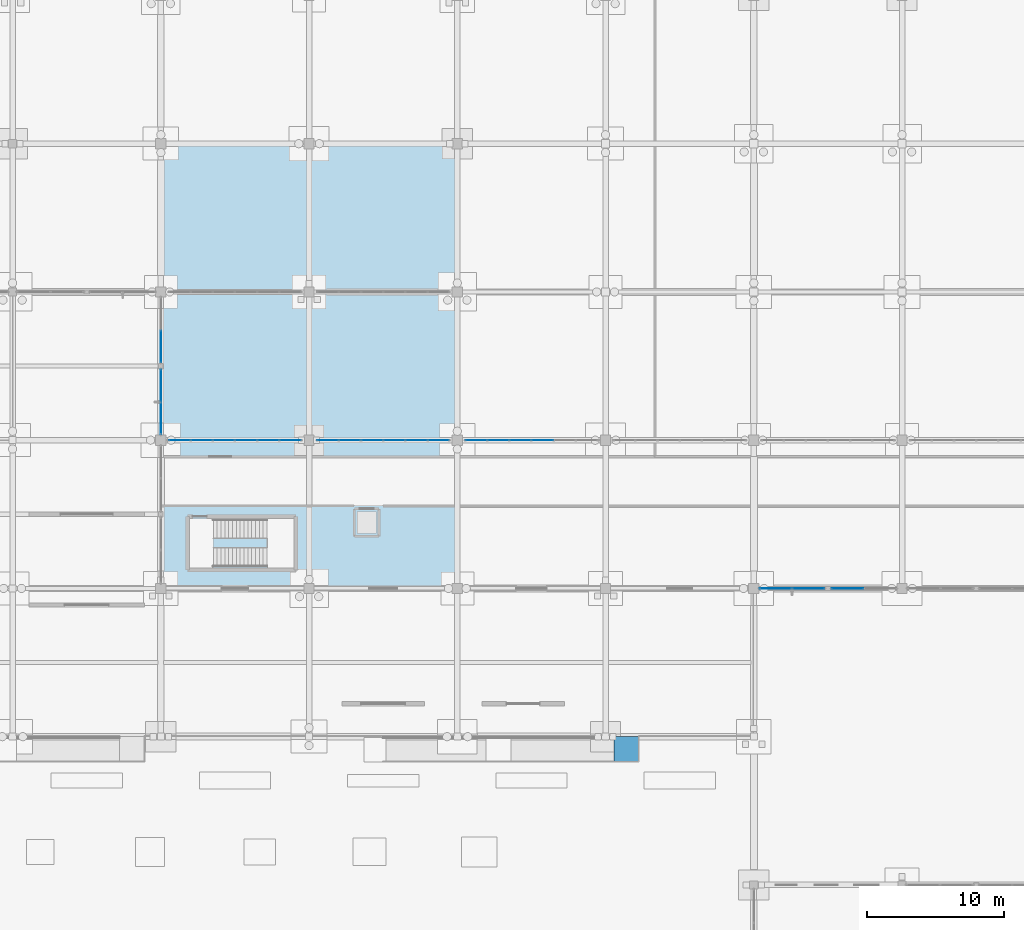
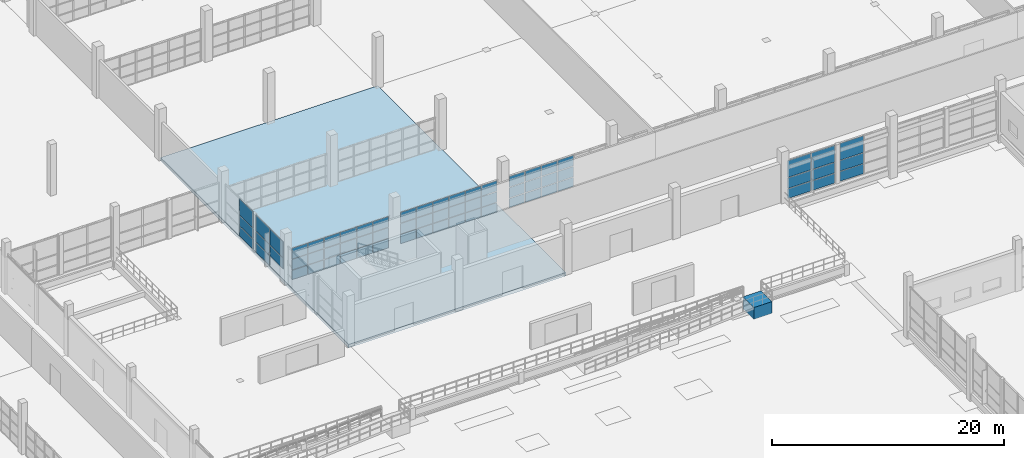
# One storey, part 85 of 138: 65 plates, 2 slabs, 8 elements without a shape of their own.
"""IFC4 building model written with IfcOpenShell, lengths in metres."""

from ifc_helpers import new_model, si_unit, direction, frame, origin, origin_2d, place, context, subcontext, project, spatial, polyline, rectangle, outline, extrude, material, layer, layer_set, type_object, element, aggregate, save


model = new_model("IFC4")

# Units and contexts
model_context = context("Model", 3, precision=1e-05, world=origin(), true_north=direction((0.0, 1.0)))
body_context = subcontext(model_context, "Body", "Model", "MODEL_VIEW")
ifc_project = project(units=[si_unit("LENGTHUNIT", "METRE"), si_unit("AREAUNIT", "SQUARE_METRE"), si_unit("VOLUMEUNIT", "CUBIC_METRE"), si_unit("PLANEANGLEUNIT", "RADIAN"), si_unit("MASSUNIT", "GRAM", prefix="KILO")], contexts=[model_context])

# Site, building, storey
site_placement = place(None, origin())
site = spatial("IfcSite", under=ifc_project, at=site_placement, CompositionType="ELEMENT")
building_placement = place(site_placement, origin())
building = spatial("IfcBuilding", under=site, at=building_placement, Name="Zwinboog Wholesale Market", CompositionType="ELEMENT")
storey_placement = place(building_placement, origin())
storey = spatial("IfcBuildingStorey", under=building, at=storey_placement, Name="L00", CompositionType="ELEMENT", Elevation=0.0)

# Slab
ifc_material_1 = material(Name="Precast concrete C45/55", Category="concrete")
ifc_layer_1 = layer(ifc_material_1, 0.364990234375)
ifc_layer_set_1 = layer_set([ifc_layer_1], Name="Precast concrete C45/55")
slab_type_1 = type_object("IfcSlabType", Name="SLT-BS-365", PredefinedType="BASESLAB", material=ifc_layer_set_1)
slab_1_placement = place(storey_placement, frame((0.0, 0.0, -0.364990234375)))
element("IfcSlab", 1, at=slab_1_placement, inside=storey, type_object=slab_type_1, Name="SB-365 (SLB-L00-006)", PredefinedType="BASESLAB", context=body_context, shape_type="SweptSolid", body=[
    extrude(outline(polyline([(64.800048828125, 43.199951171875), (86.39990234375, 43.199951171875), (86.39990234375, 75.60009765625), (64.800048828125, 75.60009765625), (64.800048828125, 43.199951171875)])), origin(), (0.0, 0.0, 1.0), 0.364990234375),
])

# Curtain wall, plates
ifc_material_2 = material(Name="Aluminium thermally broken curtain wall", Category="aluminium")
curtain_wall_type_1 = type_object("IfcCurtainWallType", Name="CWT-HALL-24", PredefinedType="USERDEFINED", material=ifc_material_2)
curtain_wall_1_placement = place(storey_placement, origin())
curtain_wall_1 = element("IfcCurtainWall", 2, at=curtain_wall_1_placement, inside=storey, type_object=curtain_wall_type_1, Name="CW-03 (CW-L00-033)", ObjectType="UNITIZED_CURTAIN_WALL", PredefinedType="USERDEFINED")
ifc_material_3 = material(Name="Triple solar-control insulated glazing", Category="glass")
ifc_layer_2 = layer(ifc_material_3, 0.0380859375)
ifc_layer_set_2 = layer_set([ifc_layer_2], Name="Triple solar-control insulated glazing")
plate_type_1 = type_object("IfcPlateType", Name="CWP-IGU-38", PredefinedType="CURTAIN_PANEL", material=ifc_layer_set_2)
plate_1_placement = place(storey_placement, frame((64.800048828125, 55.59375, 1.132568359375), z_axis=(0.0, 0.0, 1.0), x_axis=(0.0, 1.0, 0.0)))
plate_1 = element("IfcPlate", 3, at=plate_1_placement, type_object=plate_type_1, Name="CW-03 panel 1.2", PredefinedType="CURTAIN_PANEL", context=body_context, shape_type="SweptSolid", body=[
    extrude(rectangle(XDim=2.3173828125, YDim=0.0380859375, at=origin_2d()), origin(), (0.0, 0.0, 1.0), 1.0849609375),
])
plate_2_placement = place(storey_placement, frame((64.800048828125, 55.59375, 2.28271484375), z_axis=(0.0, 0.0, 1.0), x_axis=(0.0, 1.0, 0.0)))
plate_2 = element("IfcPlate", 4, at=plate_2_placement, type_object=plate_type_1, Name="CW-03 panel 1.3", PredefinedType="CURTAIN_PANEL", context=body_context, shape_type="SweptSolid", body=[
    extrude(rectangle(XDim=2.3173828125, YDim=0.0380859375, at=origin_2d()), origin(), (0.0, 0.0, 1.0), 1.677490234375),
])
plate_3_placement = place(storey_placement, frame((64.800048828125, 57.976318359375, 0.06494140625), z_axis=(0.0, 0.0, 1.0), x_axis=(0.0, 1.0, 0.0)))
plate_3 = element("IfcPlate", 5, at=plate_3_placement, type_object=plate_type_1, Name="CW-03 panel 2.1", PredefinedType="CURTAIN_PANEL", context=body_context, shape_type="SweptSolid", body=[
    extrude(rectangle(XDim=2.3173828125, YDim=0.0380859375, at=origin_2d()), origin(), (0.0, 0.0, 1.0), 1.00244140625),
])
plate_4_placement = place(storey_placement, frame((64.800048828125, 57.976318359375, 1.132568359375), z_axis=(0.0, 0.0, 1.0), x_axis=(0.0, 1.0, 0.0)))
plate_4 = element("IfcPlate", 6, at=plate_4_placement, type_object=plate_type_1, Name="CW-03 panel 2.2", PredefinedType="CURTAIN_PANEL", context=body_context, shape_type="SweptSolid", body=[
    extrude(rectangle(XDim=2.3173828125, YDim=0.0380859375, at=origin_2d()), origin(), (0.0, 0.0, 1.0), 1.0849609375),
])
plate_5_placement = place(storey_placement, frame((64.800048828125, 57.976318359375, 2.28271484375), z_axis=(0.0, 0.0, 1.0), x_axis=(0.0, 1.0, 0.0)))
plate_5 = element("IfcPlate", 7, at=plate_5_placement, type_object=plate_type_1, Name="CW-03 panel 2.3", PredefinedType="CURTAIN_PANEL", context=body_context, shape_type="SweptSolid", body=[
    extrude(rectangle(XDim=2.3173828125, YDim=0.0380859375, at=origin_2d()), origin(), (0.0, 0.0, 1.0), 1.677490234375),
])
aggregate(curtain_wall_1, [plate_1, plate_2, plate_3, plate_4, plate_5])

curtain_wall_type_2 = type_object("IfcCurtainWallType", Name="CWT-GAL-16", PredefinedType="USERDEFINED", material=ifc_material_2)
curtain_wall_2_placement = place(storey_placement, origin())
curtain_wall_2 = element("IfcCurtainWall", 8, at=curtain_wall_2_placement, inside=storey, type_object=curtain_wall_type_2, Name="CW-04 (CW-L00-034)", ObjectType="UNITIZED_CURTAIN_WALL", PredefinedType="USERDEFINED")
plate_6_placement = place(storey_placement, frame((64.800048828125, 60.822509765625, 0.06005859375), z_axis=(0.0, 0.0, 1.0), x_axis=(0.0, 1.0, 0.0)))
plate_6 = element("IfcPlate", 9, at=plate_6_placement, type_object=plate_type_1, Name="CW-04 panel 1.1", PredefinedType="CURTAIN_PANEL", context=body_context, shape_type="SweptSolid", body=[
    extrude(rectangle(XDim=2.324951171875, YDim=0.0380859375, at=origin_2d()), origin(), (0.0, 0.0, 1.0), 1.010009765625),
])
plate_7_placement = place(storey_placement, frame((64.800048828125, 60.822509765625, 1.1298828125), z_axis=(0.0, 0.0, 1.0), x_axis=(0.0, 1.0, 0.0)))
plate_7 = element("IfcPlate", 10, at=plate_7_placement, type_object=plate_type_1, Name="CW-04 panel 1.2", PredefinedType="CURTAIN_PANEL", context=body_context, shape_type="SweptSolid", body=[
    extrude(rectangle(XDim=2.324951171875, YDim=0.0380859375, at=origin_2d()), origin(), (0.0, 0.0, 1.0), 1.090087890625),
])
plate_8_placement = place(storey_placement, frame((64.800048828125, 60.822509765625, 2.280029296875), z_axis=(0.0, 0.0, 1.0), x_axis=(0.0, 1.0, 0.0)))
plate_8 = element("IfcPlate", 11, at=plate_8_placement, type_object=plate_type_1, Name="CW-04 panel 1.3", PredefinedType="CURTAIN_PANEL", context=body_context, shape_type="SweptSolid", body=[
    extrude(rectangle(XDim=2.324951171875, YDim=0.0380859375, at=origin_2d()), origin(), (0.0, 0.0, 1.0), 1.68505859375),
])
aggregate(curtain_wall_2, [plate_6, plate_7, plate_8])

curtain_wall_3_placement = place(storey_placement, origin())
curtain_wall_3 = element("IfcCurtainWall", 12, at=curtain_wall_3_placement, inside=storey, type_object=curtain_wall_type_1, Name="CW-03 (CW-L00-039)", ObjectType="UNITIZED_CURTAIN_WALL", PredefinedType="USERDEFINED")
plate_9_placement = place(storey_placement, frame((109.59375, 43.199951171875, 0.06494140625), z_axis=(0.0, 0.0, 1.0), x_axis=(1.0, 0.0, 0.0)))
plate_9 = element("IfcPlate", 13, at=plate_9_placement, type_object=plate_type_1, Name="CW-03 panel 1.1", PredefinedType="CURTAIN_PANEL", context=body_context, shape_type="SweptSolid", body=[
    extrude(rectangle(XDim=2.3173828125, YDim=0.0380859375, at=origin_2d()), origin(), (0.0, 0.0, 1.0), 1.00244140625),
])
plate_10_placement = place(storey_placement, frame((109.59375, 43.199951171875, 1.132568359375), z_axis=(0.0, 0.0, 1.0), x_axis=(1.0, 0.0, 0.0)))
plate_10 = element("IfcPlate", 14, at=plate_10_placement, type_object=plate_type_1, Name="CW-03 panel 1.2", PredefinedType="CURTAIN_PANEL", context=body_context, shape_type="SweptSolid", body=[
    extrude(rectangle(XDim=2.3173828125, YDim=0.0380859375, at=origin_2d()), origin(), (0.0, 0.0, 1.0), 1.0849609375),
])
plate_11_placement = place(storey_placement, frame((109.59375, 43.199951171875, 2.282470703125), z_axis=(0.0, 0.0, 1.0), x_axis=(1.0, 0.0, 0.0)))
plate_11 = element("IfcPlate", 15, at=plate_11_placement, type_object=plate_type_1, Name="CW-03 panel 1.3", PredefinedType="CURTAIN_PANEL", context=body_context, shape_type="SweptSolid", body=[
    extrude(rectangle(XDim=2.3173828125, YDim=0.0380859375, at=origin_2d()), origin(), (0.0, 0.0, 1.0), 1.75048828125),
])
plate_12_placement = place(storey_placement, frame((111.976318359375, 43.199951171875, 0.06494140625), z_axis=(0.0, 0.0, 1.0), x_axis=(1.0, 0.0, 0.0)))
plate_12 = element("IfcPlate", 16, at=plate_12_placement, type_object=plate_type_1, Name="CW-03 panel 2.1", PredefinedType="CURTAIN_PANEL", context=body_context, shape_type="SweptSolid", body=[
    extrude(rectangle(XDim=2.3173828125, YDim=0.0380859375, at=origin_2d()), origin(), (0.0, 0.0, 1.0), 1.00244140625),
])
plate_13_placement = place(storey_placement, frame((111.976318359375, 43.199951171875, 1.132568359375), z_axis=(0.0, 0.0, 1.0), x_axis=(1.0, 0.0, 0.0)))
plate_13 = element("IfcPlate", 17, at=plate_13_placement, type_object=plate_type_1, Name="CW-03 panel 2.2", PredefinedType="CURTAIN_PANEL", context=body_context, shape_type="SweptSolid", body=[
    extrude(rectangle(XDim=2.3173828125, YDim=0.0380859375, at=origin_2d()), origin(), (0.0, 0.0, 1.0), 1.0849609375),
])
plate_14_placement = place(storey_placement, frame((111.976318359375, 43.199951171875, 2.282470703125), z_axis=(0.0, 0.0, 1.0), x_axis=(1.0, 0.0, 0.0)))
plate_14 = element("IfcPlate", 18, at=plate_14_placement, type_object=plate_type_1, Name="CW-03 panel 2.3", PredefinedType="CURTAIN_PANEL", context=body_context, shape_type="SweptSolid", body=[
    extrude(rectangle(XDim=2.3173828125, YDim=0.0380859375, at=origin_2d()), origin(), (0.0, 0.0, 1.0), 1.75048828125),
])
aggregate(curtain_wall_3, [plate_9, plate_10, plate_11, plate_12, plate_13, plate_14])

curtain_wall_4_placement = place(storey_placement, origin())
curtain_wall_4 = element("IfcCurtainWall", 19, at=curtain_wall_4_placement, inside=storey, type_object=curtain_wall_type_2, Name="CW-04 (CW-L00-040)", ObjectType="UNITIZED_CURTAIN_WALL", PredefinedType="USERDEFINED")
plate_15_placement = place(storey_placement, frame((114.822509765625, 43.199951171875, 0.06005859375), z_axis=(0.0, 0.0, 1.0), x_axis=(1.0, 0.0, 0.0)))
plate_15 = element("IfcPlate", 20, at=plate_15_placement, type_object=plate_type_1, Name="CW-04 panel 1.1", PredefinedType="CURTAIN_PANEL", context=body_context, shape_type="SweptSolid", body=[
    extrude(rectangle(XDim=2.324951171875, YDim=0.0380859375, at=origin_2d()), origin(), (0.0, 0.0, 1.0), 1.010009765625),
])
plate_16_placement = place(storey_placement, frame((114.822509765625, 43.199951171875, 1.1298828125), z_axis=(0.0, 0.0, 1.0), x_axis=(1.0, 0.0, 0.0)))
plate_16 = element("IfcPlate", 21, at=plate_16_placement, type_object=plate_type_1, Name="CW-04 panel 1.2", PredefinedType="CURTAIN_PANEL", context=body_context, shape_type="SweptSolid", body=[
    extrude(rectangle(XDim=2.324951171875, YDim=0.0380859375, at=origin_2d()), origin(), (0.0, 0.0, 1.0), 1.090087890625),
])
plate_17_placement = place(storey_placement, frame((114.822509765625, 43.199951171875, 2.27978515625), z_axis=(0.0, 0.0, 1.0), x_axis=(1.0, 0.0, 0.0)))
plate_17 = element("IfcPlate", 22, at=plate_17_placement, type_object=plate_type_1, Name="CW-04 panel 1.3", PredefinedType="CURTAIN_PANEL", context=body_context, shape_type="SweptSolid", body=[
    extrude(rectangle(XDim=2.324951171875, YDim=0.0380859375, at=origin_2d()), origin(), (0.0, 0.0, 1.0), 1.758056640625),
])
aggregate(curtain_wall_4, [plate_15, plate_16, plate_17])

curtain_wall_type_3 = type_object("IfcCurtainWallType", Name="CWT-INT-STALL", PredefinedType="USERDEFINED", material=ifc_material_2)
curtain_wall_5_placement = place(storey_placement, origin())
curtain_wall_5 = element("IfcCurtainWall", 23, at=curtain_wall_5_placement, inside=storey, type_object=curtain_wall_type_3, Name="CW-07 (CW-STL-181)", ObjectType="STOREFRONT_GLAZING", PredefinedType="USERDEFINED")
ifc_material_4 = material(Name="Tempered laminated market stall glazing", Category="glass")
ifc_layer_3 = layer(ifc_material_4, 0.01611328125)
ifc_layer_set_3 = layer_set([ifc_layer_3], Name="Tempered laminated market stall glazing")
plate_type_2 = type_object("IfcPlateType", Name="CWP-INT-16", PredefinedType="CURTAIN_PANEL", material=ifc_layer_set_3)
plate_18_placement = place(storey_placement, frame((66.17333984375, 54.0, 0.06005859375), z_axis=(0.0, 0.0, 1.0), x_axis=(1.0, 0.0, 0.0)))
plate_18 = element("IfcPlate", 24, at=plate_18_placement, type_object=plate_type_2, Name="CW-07 panel 1.1", PredefinedType="CURTAIN_PANEL", context=body_context, shape_type="SweptSolid", body=[
    extrude(rectangle(XDim=1.526611328125, YDim=0.01611328125, at=origin_2d()), origin(), (0.0, 0.0, 1.0), 0.9599609375),
])
plate_19_placement = place(storey_placement, frame((66.17333984375, 54.0, 1.080078125), z_axis=(0.0, 0.0, 1.0), x_axis=(1.0, 0.0, 0.0)))
plate_19 = element("IfcPlate", 25, at=plate_19_placement, type_object=plate_type_2, Name="CW-07 panel 1.2", PredefinedType="CURTAIN_PANEL", context=body_context, shape_type="SweptSolid", body=[
    extrude(rectangle(XDim=1.526611328125, YDim=0.01611328125, at=origin_2d()), origin(), (0.0, 0.0, 1.0), 1.090087890625),
])
plate_20_placement = place(storey_placement, frame((66.17333984375, 54.0, 2.22998046875), z_axis=(0.0, 0.0, 1.0), x_axis=(1.0, 0.0, 0.0)))
plate_20 = element("IfcPlate", 26, at=plate_20_placement, type_object=plate_type_2, Name="CW-07 panel 1.3", PredefinedType="CURTAIN_PANEL", context=body_context, shape_type="SweptSolid", body=[
    extrude(rectangle(XDim=1.526611328125, YDim=0.01611328125, at=origin_2d()), origin(), (0.0, 0.0, 1.0), 1.110107421875),
])
plate_21_placement = place(storey_placement, frame((67.77490234375, 54.0, 0.06005859375), z_axis=(0.0, 0.0, 1.0), x_axis=(1.0, 0.0, 0.0)))
plate_21 = element("IfcPlate", 27, at=plate_21_placement, type_object=plate_type_2, Name="CW-07 panel 2.1", PredefinedType="CURTAIN_PANEL", context=body_context, shape_type="SweptSolid", body=[
    extrude(rectangle(XDim=1.556640625, YDim=0.01611328125, at=origin_2d()), origin(), (0.0, 0.0, 1.0), 0.9599609375),
])
plate_22_placement = place(storey_placement, frame((67.77490234375, 54.0, 1.080078125), z_axis=(0.0, 0.0, 1.0), x_axis=(1.0, 0.0, 0.0)))
plate_22 = element("IfcPlate", 28, at=plate_22_placement, type_object=plate_type_2, Name="CW-07 panel 2.2", PredefinedType="CURTAIN_PANEL", context=body_context, shape_type="SweptSolid", body=[
    extrude(rectangle(XDim=1.556640625, YDim=0.01611328125, at=origin_2d()), origin(), (0.0, 0.0, 1.0), 1.090087890625),
])
plate_23_placement = place(storey_placement, frame((67.77490234375, 54.0, 2.22998046875), z_axis=(0.0, 0.0, 1.0), x_axis=(1.0, 0.0, 0.0)))
plate_23 = element("IfcPlate", 29, at=plate_23_placement, type_object=plate_type_2, Name="CW-07 panel 2.3", PredefinedType="CURTAIN_PANEL", context=body_context, shape_type="SweptSolid", body=[
    extrude(rectangle(XDim=1.556640625, YDim=0.01611328125, at=origin_2d()), origin(), (0.0, 0.0, 1.0), 1.110107421875),
])
plate_24_placement = place(storey_placement, frame((69.3916015625, 54.0, 0.06005859375), z_axis=(0.0, 0.0, 1.0), x_axis=(1.0, 0.0, 0.0)))
plate_24 = element("IfcPlate", 30, at=plate_24_placement, type_object=plate_type_2, Name="CW-07 panel 3.1", PredefinedType="CURTAIN_PANEL", context=body_context, shape_type="SweptSolid", body=[
    extrude(rectangle(XDim=1.556640625, YDim=0.01611328125, at=origin_2d()), origin(), (0.0, 0.0, 1.0), 0.9599609375),
])
plate_25_placement = place(storey_placement, frame((69.3916015625, 54.0, 1.080078125), z_axis=(0.0, 0.0, 1.0), x_axis=(1.0, 0.0, 0.0)))
plate_25 = element("IfcPlate", 31, at=plate_25_placement, type_object=plate_type_2, Name="CW-07 panel 3.2", PredefinedType="CURTAIN_PANEL", context=body_context, shape_type="SweptSolid", body=[
    extrude(rectangle(XDim=1.556640625, YDim=0.01611328125, at=origin_2d()), origin(), (0.0, 0.0, 1.0), 1.090087890625),
])
plate_26_placement = place(storey_placement, frame((69.3916015625, 54.0, 2.22998046875), z_axis=(0.0, 0.0, 1.0), x_axis=(1.0, 0.0, 0.0)))
plate_26 = element("IfcPlate", 32, at=plate_26_placement, type_object=plate_type_2, Name="CW-07 panel 3.3", PredefinedType="CURTAIN_PANEL", context=body_context, shape_type="SweptSolid", body=[
    extrude(rectangle(XDim=1.556640625, YDim=0.01611328125, at=origin_2d()), origin(), (0.0, 0.0, 1.0), 1.110107421875),
])
plate_27_placement = place(storey_placement, frame((71.00830078125, 54.0, 0.06005859375), z_axis=(0.0, 0.0, 1.0), x_axis=(1.0, 0.0, 0.0)))
plate_27 = element("IfcPlate", 33, at=plate_27_placement, type_object=plate_type_2, Name="CW-07 panel 4.1", PredefinedType="CURTAIN_PANEL", context=body_context, shape_type="SweptSolid", body=[
    extrude(rectangle(XDim=1.556640625, YDim=0.01611328125, at=origin_2d()), origin(), (0.0, 0.0, 1.0), 0.9599609375),
])
plate_28_placement = place(storey_placement, frame((71.00830078125, 54.0, 1.080078125), z_axis=(0.0, 0.0, 1.0), x_axis=(1.0, 0.0, 0.0)))
plate_28 = element("IfcPlate", 34, at=plate_28_placement, type_object=plate_type_2, Name="CW-07 panel 4.2", PredefinedType="CURTAIN_PANEL", context=body_context, shape_type="SweptSolid", body=[
    extrude(rectangle(XDim=1.556640625, YDim=0.01611328125, at=origin_2d()), origin(), (0.0, 0.0, 1.0), 1.090087890625),
])
plate_29_placement = place(storey_placement, frame((71.00830078125, 54.0, 2.22998046875), z_axis=(0.0, 0.0, 1.0), x_axis=(1.0, 0.0, 0.0)))
plate_29 = element("IfcPlate", 35, at=plate_29_placement, type_object=plate_type_2, Name="CW-07 panel 4.3", PredefinedType="CURTAIN_PANEL", context=body_context, shape_type="SweptSolid", body=[
    extrude(rectangle(XDim=1.556640625, YDim=0.01611328125, at=origin_2d()), origin(), (0.0, 0.0, 1.0), 1.110107421875),
])
plate_30_placement = place(storey_placement, frame((72.625, 54.0, 0.06005859375), z_axis=(0.0, 0.0, 1.0), x_axis=(1.0, 0.0, 0.0)))
plate_30 = element("IfcPlate", 36, at=plate_30_placement, type_object=plate_type_2, Name="CW-07 panel 5.1", PredefinedType="CURTAIN_PANEL", context=body_context, shape_type="SweptSolid", body=[
    extrude(rectangle(XDim=1.556640625, YDim=0.01611328125, at=origin_2d()), origin(), (0.0, 0.0, 1.0), 0.9599609375),
])
plate_31_placement = place(storey_placement, frame((72.625, 54.0, 1.080078125), z_axis=(0.0, 0.0, 1.0), x_axis=(1.0, 0.0, 0.0)))
plate_31 = element("IfcPlate", 37, at=plate_31_placement, type_object=plate_type_2, Name="CW-07 panel 5.2", PredefinedType="CURTAIN_PANEL", context=body_context, shape_type="SweptSolid", body=[
    extrude(rectangle(XDim=1.556640625, YDim=0.01611328125, at=origin_2d()), origin(), (0.0, 0.0, 1.0), 1.090087890625),
])
plate_32_placement = place(storey_placement, frame((72.625, 54.0, 2.22998046875), z_axis=(0.0, 0.0, 1.0), x_axis=(1.0, 0.0, 0.0)))
plate_32 = element("IfcPlate", 38, at=plate_32_placement, type_object=plate_type_2, Name="CW-07 panel 5.3", PredefinedType="CURTAIN_PANEL", context=body_context, shape_type="SweptSolid", body=[
    extrude(rectangle(XDim=1.556640625, YDim=0.01611328125, at=origin_2d()), origin(), (0.0, 0.0, 1.0), 1.110107421875),
])
plate_33_placement = place(storey_placement, frame((74.2265625, 54.0, 0.06005859375), z_axis=(0.0, 0.0, 1.0), x_axis=(1.0, 0.0, 0.0)))
plate_33 = element("IfcPlate", 39, at=plate_33_placement, type_object=plate_type_2, Name="CW-07 panel 6.1", PredefinedType="CURTAIN_PANEL", context=body_context, shape_type="SweptSolid", body=[
    extrude(rectangle(XDim=1.526611328125, YDim=0.01611328125, at=origin_2d()), origin(), (0.0, 0.0, 1.0), 0.9599609375),
])
plate_34_placement = place(storey_placement, frame((74.2265625, 54.0, 1.080078125), z_axis=(0.0, 0.0, 1.0), x_axis=(1.0, 0.0, 0.0)))
plate_34 = element("IfcPlate", 40, at=plate_34_placement, type_object=plate_type_2, Name="CW-07 panel 6.2", PredefinedType="CURTAIN_PANEL", context=body_context, shape_type="SweptSolid", body=[
    extrude(rectangle(XDim=1.526611328125, YDim=0.01611328125, at=origin_2d()), origin(), (0.0, 0.0, 1.0), 1.090087890625),
])
plate_35_placement = place(storey_placement, frame((74.2265625, 54.0, 2.22998046875), z_axis=(0.0, 0.0, 1.0), x_axis=(1.0, 0.0, 0.0)))
plate_35 = element("IfcPlate", 41, at=plate_35_placement, type_object=plate_type_2, Name="CW-07 panel 6.3", PredefinedType="CURTAIN_PANEL", context=body_context, shape_type="SweptSolid", body=[
    extrude(rectangle(XDim=1.526611328125, YDim=0.01611328125, at=origin_2d()), origin(), (0.0, 0.0, 1.0), 1.110107421875),
])
aggregate(curtain_wall_5, [plate_18, plate_19, plate_20, plate_21, plate_22, plate_23, plate_24, plate_25, plate_26, plate_27, plate_28, plate_29, plate_30, plate_31, plate_32, plate_33, plate_34, plate_35])

curtain_wall_6_placement = place(storey_placement, origin())
curtain_wall_6 = element("IfcCurtainWall", 42, at=curtain_wall_6_placement, inside=storey, type_object=curtain_wall_type_3, Name="CW-07 (CW-STL-182)", ObjectType="STOREFRONT_GLAZING", PredefinedType="USERDEFINED")
plate_36_placement = place(storey_placement, frame((76.973388671875, 54.0, 0.06005859375), z_axis=(0.0, 0.0, 1.0), x_axis=(1.0, 0.0, 0.0)))
plate_36 = element("IfcPlate", 43, at=plate_36_placement, type_object=plate_type_2, Name="CW-07 panel 1.1", PredefinedType="CURTAIN_PANEL", context=body_context, shape_type="SweptSolid", body=[
    extrude(rectangle(XDim=1.526611328125, YDim=0.01611328125, at=origin_2d()), origin(), (0.0, 0.0, 1.0), 0.9599609375),
])
plate_37_placement = place(storey_placement, frame((76.973388671875, 54.0, 1.080078125), z_axis=(0.0, 0.0, 1.0), x_axis=(1.0, 0.0, 0.0)))
plate_37 = element("IfcPlate", 44, at=plate_37_placement, type_object=plate_type_2, Name="CW-07 panel 1.2", PredefinedType="CURTAIN_PANEL", context=body_context, shape_type="SweptSolid", body=[
    extrude(rectangle(XDim=1.526611328125, YDim=0.01611328125, at=origin_2d()), origin(), (0.0, 0.0, 1.0), 1.090087890625),
])
plate_38_placement = place(storey_placement, frame((76.973388671875, 54.0, 2.22998046875), z_axis=(0.0, 0.0, 1.0), x_axis=(1.0, 0.0, 0.0)))
plate_38 = element("IfcPlate", 45, at=plate_38_placement, type_object=plate_type_2, Name="CW-07 panel 1.3", PredefinedType="CURTAIN_PANEL", context=body_context, shape_type="SweptSolid", body=[
    extrude(rectangle(XDim=1.526611328125, YDim=0.01611328125, at=origin_2d()), origin(), (0.0, 0.0, 1.0), 1.110107421875),
])
plate_39_placement = place(storey_placement, frame((78.574951171875, 54.0, 0.06005859375), z_axis=(0.0, 0.0, 1.0), x_axis=(1.0, 0.0, 0.0)))
plate_39 = element("IfcPlate", 46, at=plate_39_placement, type_object=plate_type_2, Name="CW-07 panel 2.1", PredefinedType="CURTAIN_PANEL", context=body_context, shape_type="SweptSolid", body=[
    extrude(rectangle(XDim=1.556640625, YDim=0.01611328125, at=origin_2d()), origin(), (0.0, 0.0, 1.0), 0.9599609375),
])
plate_40_placement = place(storey_placement, frame((78.574951171875, 54.0, 1.080078125), z_axis=(0.0, 0.0, 1.0), x_axis=(1.0, 0.0, 0.0)))
plate_40 = element("IfcPlate", 47, at=plate_40_placement, type_object=plate_type_2, Name="CW-07 panel 2.2", PredefinedType="CURTAIN_PANEL", context=body_context, shape_type="SweptSolid", body=[
    extrude(rectangle(XDim=1.556640625, YDim=0.01611328125, at=origin_2d()), origin(), (0.0, 0.0, 1.0), 1.090087890625),
])
plate_41_placement = place(storey_placement, frame((78.574951171875, 54.0, 2.22998046875), z_axis=(0.0, 0.0, 1.0), x_axis=(1.0, 0.0, 0.0)))
plate_41 = element("IfcPlate", 48, at=plate_41_placement, type_object=plate_type_2, Name="CW-07 panel 2.3", PredefinedType="CURTAIN_PANEL", context=body_context, shape_type="SweptSolid", body=[
    extrude(rectangle(XDim=1.556640625, YDim=0.01611328125, at=origin_2d()), origin(), (0.0, 0.0, 1.0), 1.110107421875),
])
plate_42_placement = place(storey_placement, frame((80.191650390625, 54.0, 0.06005859375), z_axis=(0.0, 0.0, 1.0), x_axis=(1.0, 0.0, 0.0)))
plate_42 = element("IfcPlate", 49, at=plate_42_placement, type_object=plate_type_2, Name="CW-07 panel 3.1", PredefinedType="CURTAIN_PANEL", context=body_context, shape_type="SweptSolid", body=[
    extrude(rectangle(XDim=1.556640625, YDim=0.01611328125, at=origin_2d()), origin(), (0.0, 0.0, 1.0), 0.9599609375),
])
plate_43_placement = place(storey_placement, frame((80.191650390625, 54.0, 1.080078125), z_axis=(0.0, 0.0, 1.0), x_axis=(1.0, 0.0, 0.0)))
plate_43 = element("IfcPlate", 50, at=plate_43_placement, type_object=plate_type_2, Name="CW-07 panel 3.2", PredefinedType="CURTAIN_PANEL", context=body_context, shape_type="SweptSolid", body=[
    extrude(rectangle(XDim=1.556640625, YDim=0.01611328125, at=origin_2d()), origin(), (0.0, 0.0, 1.0), 1.090087890625),
])
plate_44_placement = place(storey_placement, frame((80.191650390625, 54.0, 2.22998046875), z_axis=(0.0, 0.0, 1.0), x_axis=(1.0, 0.0, 0.0)))
plate_44 = element("IfcPlate", 51, at=plate_44_placement, type_object=plate_type_2, Name="CW-07 panel 3.3", PredefinedType="CURTAIN_PANEL", context=body_context, shape_type="SweptSolid", body=[
    extrude(rectangle(XDim=1.556640625, YDim=0.01611328125, at=origin_2d()), origin(), (0.0, 0.0, 1.0), 1.110107421875),
])
plate_45_placement = place(storey_placement, frame((81.808349609375, 54.0, 0.06005859375), z_axis=(0.0, 0.0, 1.0), x_axis=(1.0, 0.0, 0.0)))
plate_45 = element("IfcPlate", 52, at=plate_45_placement, type_object=plate_type_2, Name="CW-07 panel 4.1", PredefinedType="CURTAIN_PANEL", context=body_context, shape_type="SweptSolid", body=[
    extrude(rectangle(XDim=1.556640625, YDim=0.01611328125, at=origin_2d()), origin(), (0.0, 0.0, 1.0), 0.9599609375),
])
plate_46_placement = place(storey_placement, frame((81.808349609375, 54.0, 1.080078125), z_axis=(0.0, 0.0, 1.0), x_axis=(1.0, 0.0, 0.0)))
plate_46 = element("IfcPlate", 53, at=plate_46_placement, type_object=plate_type_2, Name="CW-07 panel 4.2", PredefinedType="CURTAIN_PANEL", context=body_context, shape_type="SweptSolid", body=[
    extrude(rectangle(XDim=1.556640625, YDim=0.01611328125, at=origin_2d()), origin(), (0.0, 0.0, 1.0), 1.090087890625),
])
plate_47_placement = place(storey_placement, frame((81.808349609375, 54.0, 2.22998046875), z_axis=(0.0, 0.0, 1.0), x_axis=(1.0, 0.0, 0.0)))
plate_47 = element("IfcPlate", 54, at=plate_47_placement, type_object=plate_type_2, Name="CW-07 panel 4.3", PredefinedType="CURTAIN_PANEL", context=body_context, shape_type="SweptSolid", body=[
    extrude(rectangle(XDim=1.556640625, YDim=0.01611328125, at=origin_2d()), origin(), (0.0, 0.0, 1.0), 1.110107421875),
])
plate_48_placement = place(storey_placement, frame((83.425048828125, 54.0, 0.06005859375), z_axis=(0.0, 0.0, 1.0), x_axis=(1.0, 0.0, 0.0)))
plate_48 = element("IfcPlate", 55, at=plate_48_placement, type_object=plate_type_2, Name="CW-07 panel 5.1", PredefinedType="CURTAIN_PANEL", context=body_context, shape_type="SweptSolid", body=[
    extrude(rectangle(XDim=1.556640625, YDim=0.01611328125, at=origin_2d()), origin(), (0.0, 0.0, 1.0), 0.9599609375),
])
plate_49_placement = place(storey_placement, frame((83.425048828125, 54.0, 1.080078125), z_axis=(0.0, 0.0, 1.0), x_axis=(1.0, 0.0, 0.0)))
plate_49 = element("IfcPlate", 56, at=plate_49_placement, type_object=plate_type_2, Name="CW-07 panel 5.2", PredefinedType="CURTAIN_PANEL", context=body_context, shape_type="SweptSolid", body=[
    extrude(rectangle(XDim=1.556640625, YDim=0.01611328125, at=origin_2d()), origin(), (0.0, 0.0, 1.0), 1.090087890625),
])
plate_50_placement = place(storey_placement, frame((83.425048828125, 54.0, 2.22998046875), z_axis=(0.0, 0.0, 1.0), x_axis=(1.0, 0.0, 0.0)))
plate_50 = element("IfcPlate", 57, at=plate_50_placement, type_object=plate_type_2, Name="CW-07 panel 5.3", PredefinedType="CURTAIN_PANEL", context=body_context, shape_type="SweptSolid", body=[
    extrude(rectangle(XDim=1.556640625, YDim=0.01611328125, at=origin_2d()), origin(), (0.0, 0.0, 1.0), 1.110107421875),
])
plate_51_placement = place(storey_placement, frame((85.026611328125, 54.0, 0.06005859375), z_axis=(0.0, 0.0, 1.0), x_axis=(1.0, 0.0, 0.0)))
plate_51 = element("IfcPlate", 58, at=plate_51_placement, type_object=plate_type_2, Name="CW-07 panel 6.1", PredefinedType="CURTAIN_PANEL", context=body_context, shape_type="SweptSolid", body=[
    extrude(rectangle(XDim=1.526611328125, YDim=0.01611328125, at=origin_2d()), origin(), (0.0, 0.0, 1.0), 0.9599609375),
])
plate_52_placement = place(storey_placement, frame((85.026611328125, 54.0, 1.080078125), z_axis=(0.0, 0.0, 1.0), x_axis=(1.0, 0.0, 0.0)))
plate_52 = element("IfcPlate", 59, at=plate_52_placement, type_object=plate_type_2, Name="CW-07 panel 6.2", PredefinedType="CURTAIN_PANEL", context=body_context, shape_type="SweptSolid", body=[
    extrude(rectangle(XDim=1.526611328125, YDim=0.01611328125, at=origin_2d()), origin(), (0.0, 0.0, 1.0), 1.090087890625),
])
plate_53_placement = place(storey_placement, frame((85.026611328125, 54.0, 2.22998046875), z_axis=(0.0, 0.0, 1.0), x_axis=(1.0, 0.0, 0.0)))
plate_53 = element("IfcPlate", 60, at=plate_53_placement, type_object=plate_type_2, Name="CW-07 panel 6.3", PredefinedType="CURTAIN_PANEL", context=body_context, shape_type="SweptSolid", body=[
    extrude(rectangle(XDim=1.526611328125, YDim=0.01611328125, at=origin_2d()), origin(), (0.0, 0.0, 1.0), 1.110107421875),
])
aggregate(curtain_wall_6, [plate_36, plate_37, plate_38, plate_39, plate_40, plate_41, plate_42, plate_43, plate_44, plate_45, plate_46, plate_47, plate_48, plate_49, plate_50, plate_51, plate_52, plate_53])

curtain_wall_7_placement = place(storey_placement, origin())
curtain_wall_7 = element("IfcCurtainWall", 61, at=curtain_wall_7_placement, inside=storey, type_object=curtain_wall_type_3, Name="CW-07 (CW-STL-183)", ObjectType="STOREFRONT_GLAZING", PredefinedType="USERDEFINED")
plate_54_placement = place(storey_placement, frame((87.7734375, 54.0, 0.06005859375), z_axis=(0.0, 0.0, 1.0), x_axis=(1.0, 0.0, 0.0)))
plate_54 = element("IfcPlate", 62, at=plate_54_placement, type_object=plate_type_2, Name="CW-07 panel 1.1", PredefinedType="CURTAIN_PANEL", context=body_context, shape_type="SweptSolid", body=[
    extrude(rectangle(XDim=1.526611328125, YDim=0.01611328125, at=origin_2d()), origin(), (0.0, 0.0, 1.0), 0.9599609375),
])
plate_55_placement = place(storey_placement, frame((87.7734375, 54.0, 1.080078125), z_axis=(0.0, 0.0, 1.0), x_axis=(1.0, 0.0, 0.0)))
plate_55 = element("IfcPlate", 63, at=plate_55_placement, type_object=plate_type_2, Name="CW-07 panel 1.2", PredefinedType="CURTAIN_PANEL", context=body_context, shape_type="SweptSolid", body=[
    extrude(rectangle(XDim=1.526611328125, YDim=0.01611328125, at=origin_2d()), origin(), (0.0, 0.0, 1.0), 1.090087890625),
])
plate_56_placement = place(storey_placement, frame((87.7734375, 54.0, 2.22998046875), z_axis=(0.0, 0.0, 1.0), x_axis=(1.0, 0.0, 0.0)))
plate_56 = element("IfcPlate", 64, at=plate_56_placement, type_object=plate_type_2, Name="CW-07 panel 1.3", PredefinedType="CURTAIN_PANEL", context=body_context, shape_type="SweptSolid", body=[
    extrude(rectangle(XDim=1.526611328125, YDim=0.01611328125, at=origin_2d()), origin(), (0.0, 0.0, 1.0), 1.110107421875),
])
plate_57_placement = place(storey_placement, frame((89.375, 54.0, 0.06005859375), z_axis=(0.0, 0.0, 1.0), x_axis=(1.0, 0.0, 0.0)))
plate_57 = element("IfcPlate", 65, at=plate_57_placement, type_object=plate_type_2, Name="CW-07 panel 2.1", PredefinedType="CURTAIN_PANEL", context=body_context, shape_type="SweptSolid", body=[
    extrude(rectangle(XDim=1.556640625, YDim=0.01611328125, at=origin_2d()), origin(), (0.0, 0.0, 1.0), 0.9599609375),
])
plate_58_placement = place(storey_placement, frame((89.375, 54.0, 1.080078125), z_axis=(0.0, 0.0, 1.0), x_axis=(1.0, 0.0, 0.0)))
plate_58 = element("IfcPlate", 66, at=plate_58_placement, type_object=plate_type_2, Name="CW-07 panel 2.2", PredefinedType="CURTAIN_PANEL", context=body_context, shape_type="SweptSolid", body=[
    extrude(rectangle(XDim=1.556640625, YDim=0.01611328125, at=origin_2d()), origin(), (0.0, 0.0, 1.0), 1.090087890625),
])
plate_59_placement = place(storey_placement, frame((89.375, 54.0, 2.22998046875), z_axis=(0.0, 0.0, 1.0), x_axis=(1.0, 0.0, 0.0)))
plate_59 = element("IfcPlate", 67, at=plate_59_placement, type_object=plate_type_2, Name="CW-07 panel 2.3", PredefinedType="CURTAIN_PANEL", context=body_context, shape_type="SweptSolid", body=[
    extrude(rectangle(XDim=1.556640625, YDim=0.01611328125, at=origin_2d()), origin(), (0.0, 0.0, 1.0), 1.110107421875),
])
plate_60_placement = place(storey_placement, frame((90.99169921875, 54.0, 0.06005859375), z_axis=(0.0, 0.0, 1.0), x_axis=(1.0, 0.0, 0.0)))
plate_60 = element("IfcPlate", 68, at=plate_60_placement, type_object=plate_type_2, Name="CW-07 panel 3.1", PredefinedType="CURTAIN_PANEL", context=body_context, shape_type="SweptSolid", body=[
    extrude(rectangle(XDim=1.556640625, YDim=0.01611328125, at=origin_2d()), origin(), (0.0, 0.0, 1.0), 0.9599609375),
])
plate_61_placement = place(storey_placement, frame((90.99169921875, 54.0, 1.080078125), z_axis=(0.0, 0.0, 1.0), x_axis=(1.0, 0.0, 0.0)))
plate_61 = element("IfcPlate", 69, at=plate_61_placement, type_object=plate_type_2, Name="CW-07 panel 3.2", PredefinedType="CURTAIN_PANEL", context=body_context, shape_type="SweptSolid", body=[
    extrude(rectangle(XDim=1.556640625, YDim=0.01611328125, at=origin_2d()), origin(), (0.0, 0.0, 1.0), 1.090087890625),
])
plate_62_placement = place(storey_placement, frame((90.99169921875, 54.0, 2.22998046875), z_axis=(0.0, 0.0, 1.0), x_axis=(1.0, 0.0, 0.0)))
plate_62 = element("IfcPlate", 70, at=plate_62_placement, type_object=plate_type_2, Name="CW-07 panel 3.3", PredefinedType="CURTAIN_PANEL", context=body_context, shape_type="SweptSolid", body=[
    extrude(rectangle(XDim=1.556640625, YDim=0.01611328125, at=origin_2d()), origin(), (0.0, 0.0, 1.0), 1.110107421875),
])
plate_63_placement = place(storey_placement, frame((92.6083984375, 54.0, 0.06005859375), z_axis=(0.0, 0.0, 1.0), x_axis=(1.0, 0.0, 0.0)))
plate_63 = element("IfcPlate", 71, at=plate_63_placement, type_object=plate_type_2, Name="CW-07 panel 4.1", PredefinedType="CURTAIN_PANEL", context=body_context, shape_type="SweptSolid", body=[
    extrude(rectangle(XDim=1.556640625, YDim=0.01611328125, at=origin_2d()), origin(), (0.0, 0.0, 1.0), 0.9599609375),
])
plate_64_placement = place(storey_placement, frame((92.6083984375, 54.0, 1.080078125), z_axis=(0.0, 0.0, 1.0), x_axis=(1.0, 0.0, 0.0)))
plate_64 = element("IfcPlate", 72, at=plate_64_placement, type_object=plate_type_2, Name="CW-07 panel 4.2", PredefinedType="CURTAIN_PANEL", context=body_context, shape_type="SweptSolid", body=[
    extrude(rectangle(XDim=1.556640625, YDim=0.01611328125, at=origin_2d()), origin(), (0.0, 0.0, 1.0), 1.090087890625),
])
plate_65_placement = place(storey_placement, frame((92.6083984375, 54.0, 2.22998046875), z_axis=(0.0, 0.0, 1.0), x_axis=(1.0, 0.0, 0.0)))
plate_65 = element("IfcPlate", 73, at=plate_65_placement, type_object=plate_type_2, Name="CW-07 panel 4.3", PredefinedType="CURTAIN_PANEL", context=body_context, shape_type="SweptSolid", body=[
    extrude(rectangle(XDim=1.556640625, YDim=0.01611328125, at=origin_2d()), origin(), (0.0, 0.0, 1.0), 1.110107421875),
])
aggregate(curtain_wall_7, [plate_54, plate_55, plate_56, plate_57, plate_58, plate_59, plate_60, plate_61, plate_62, plate_63, plate_64, plate_65])

# Ramp, slab
ifc_material_5 = material(Name="Concrete C40/50", Category="concrete")
ramp_type = type_object("IfcRampType", Name="RMPT-PLINTH", PredefinedType="HALF_TURN_RAMP", material=ifc_material_5)
ramp_placement = place(storey_placement, origin())
ramp = element("IfcRamp", 74, at=ramp_placement, inside=storey, type_object=ramp_type, Name="South Park Central Accessible Ramp", PredefinedType="HALF_TURN_RAMP")
ifc_layer_4 = layer(ifc_material_5, 0.219970703125)
ifc_layer_set_4 = layer_set([ifc_layer_4], Name="Concrete C40/50")
slab_type_2 = type_object("IfcSlabType", Name="SLT-LND-220", PredefinedType="LANDING", material=ifc_layer_set_4)
slab_2_placement = place(storey_placement, frame((0.0, 0.0, -1.25)))
slab_2 = element("IfcSlab", 75, at=slab_2_placement, type_object=slab_type_2, Name="RMP-02-L2 (RMP-02-LTOP)", PredefinedType="LANDING", context=body_context, shape_type="SweptSolid", body=[
    extrude(outline(polyline([(97.800048828125, 30.550048828125), (99.60009765625, 30.550048828125), (99.60009765625, 32.419921875), (97.800048828125, 32.419921875), (97.800048828125, 30.550048828125)])), origin(), (0.0, 0.0, 1.0), 1.25),
])
aggregate(ramp, [slab_2])

save(model, "model.ifc")
